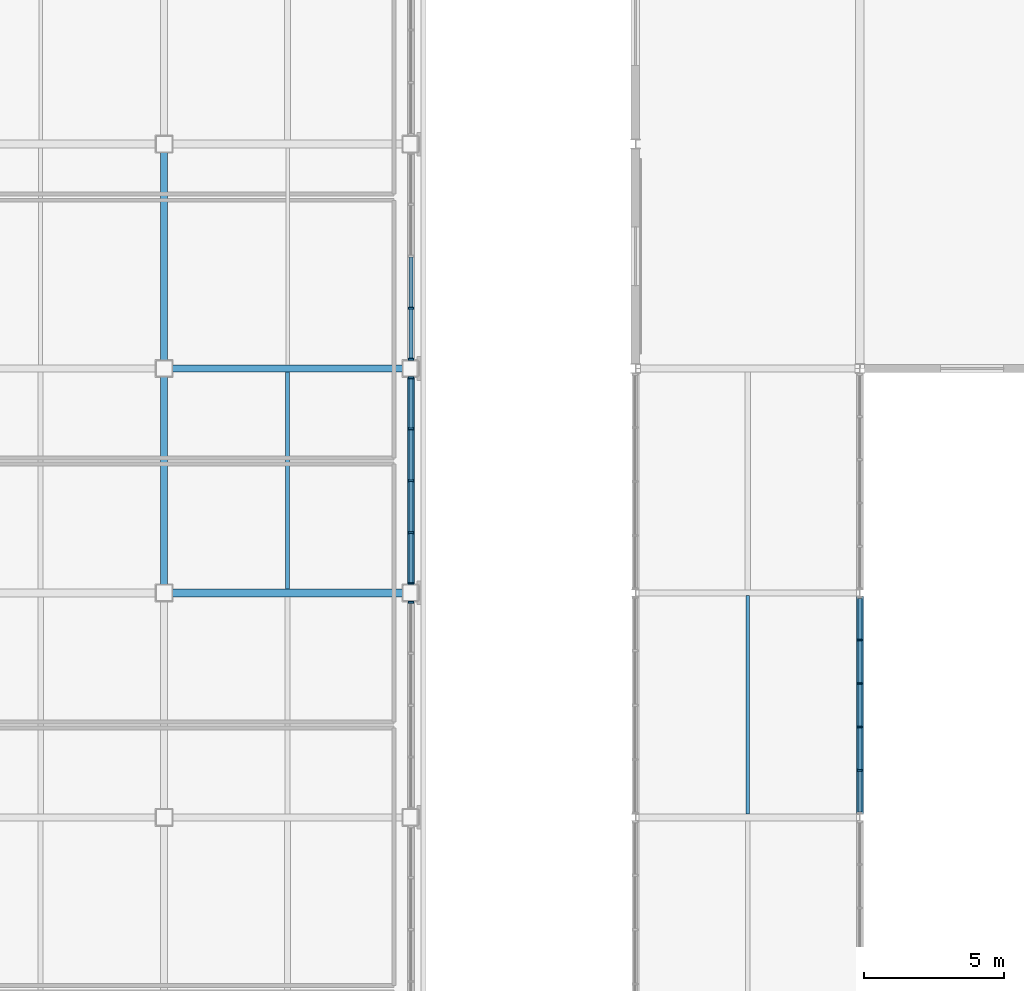
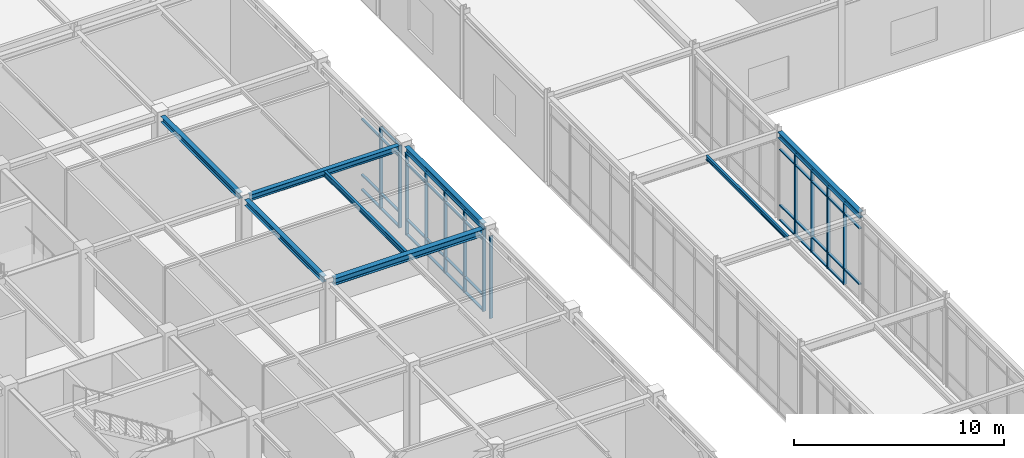
# One storey, part 32 of 108: 54 members, 8 beams, 4 elements without a shape of their own.
"""IFC4 building model written with IfcOpenShell, lengths in metres."""

from ifc_helpers import new_model, si_unit, direction, frame, origin, origin_2d, place, context, subcontext, project, spatial, rectangle, i_section, extrude, material, material_profile, profile_set, type_object, element, aggregate, save


model = new_model("IFC4")

# Units and contexts
model_context = context("Model", 3, precision=1e-05, world=origin(), true_north=direction((0.0, 1.0)))
body_context = subcontext(model_context, "Body", "Model", "MODEL_VIEW")
ifc_project = project(units=[si_unit("LENGTHUNIT", "METRE"), si_unit("AREAUNIT", "SQUARE_METRE"), si_unit("VOLUMEUNIT", "CUBIC_METRE"), si_unit("PLANEANGLEUNIT", "RADIAN"), si_unit("MASSUNIT", "GRAM", prefix="KILO")], contexts=[model_context])

# Site, building, storey
site_placement = place(None, origin())
site = spatial("IfcSite", under=ifc_project, at=site_placement, CompositionType="ELEMENT")
building_placement = place(site_placement, origin())
building = spatial("IfcBuilding", under=site, at=building_placement, Name="Zhaolan Boulevard Law Courts", CompositionType="ELEMENT")
storey_placement = place(building_placement, frame((0.0, 0.0, 10.800048828125)))
storey = spatial("IfcBuildingStorey", under=building, at=storey_placement, Name="L02", CompositionType="ELEMENT", Elevation=10.800048828125)

# Curtain wall, members
ifc_material_1 = material(Name="Thermally broken aluminium and low-E glazing", Category="aluminium")
curtain_wall_type_1 = type_object("IfcCurtainWallType", Name="CURTAIN WALL M2", PredefinedType="USERDEFINED", material=ifc_material_1)
curtain_wall_1_placement = place(storey_placement, origin())
curtain_wall_1 = element("IfcCurtainWall", 1, at=curtain_wall_1_placement, inside=storey, type_object=curtain_wall_type_1, Name="Curtain Wall CW-L02-098", ObjectType="CURTAIN WALL", PredefinedType="USERDEFINED")
ifc_material_2 = material(Name="Fluorocarbon-coated aluminium 6063-T6", Category="aluminium")
ifc_material_profile_1 = material_profile(ifc_material_2, rectangle(XDim=0.179931640625, YDim=0.06494140625, at=origin_2d()), Name="AL65x180")
ifc_profile_set_1 = profile_set([ifc_material_profile_1], Name="Fluorocarbon-coated aluminium 6063-T6")
member_type_1 = type_object("IfcMemberType", Name="CWMULLION 65X180", PredefinedType="MULLION", material=ifc_profile_set_1)
member_1_placement = place(storey_placement, frame((60.0, 47.67626953125, 0.0), z_axis=(0.0, 0.0, 1.0), x_axis=(-1.0, 0.0, 0.0)))
member_1 = element("IfcMember", 2, at=member_1_placement, type_object=member_type_1, Name="CW-L02-098 mullion 2", PredefinedType="MULLION", context=body_context, shape_type="SweptSolid", body=[
    extrude(rectangle(XDim=0.179931640625, YDim=0.06494140625, at=origin_2d()), origin(), (0.0, 0.0, 1.0), 4.782958984375),
])
member_2_placement = place(storey_placement, frame((60.0, 49.225341796875, 0.0), z_axis=(0.0, 0.0, 1.0), x_axis=(-1.0, 0.0, 0.0)))
member_2 = element("IfcMember", 3, at=member_2_placement, type_object=member_type_1, Name="CW-L02-098 mullion 3", PredefinedType="MULLION", context=body_context, shape_type="SweptSolid", body=[
    extrude(rectangle(XDim=0.179931640625, YDim=0.06494140625, at=origin_2d()), origin(), (0.0, 0.0, 1.0), 4.782958984375),
])
member_3_placement = place(storey_placement, frame((60.0, 50.774658203125, 0.0), z_axis=(0.0, 0.0, 1.0), x_axis=(-1.0, 0.0, 0.0)))
member_3 = element("IfcMember", 4, at=member_3_placement, type_object=member_type_1, Name="CW-L02-098 mullion 4", PredefinedType="MULLION", context=body_context, shape_type="SweptSolid", body=[
    extrude(rectangle(XDim=0.179931640625, YDim=0.06494140625, at=origin_2d()), origin(), (0.0, 0.0, 1.0), 4.782958984375),
])
member_4_placement = place(storey_placement, frame((60.0, 52.32373046875, 0.0), z_axis=(0.0, 0.0, 1.0), x_axis=(-1.0, 0.0, 0.0)))
member_4 = element("IfcMember", 5, at=member_4_placement, type_object=member_type_1, Name="CW-L02-098 mullion 5", PredefinedType="MULLION", context=body_context, shape_type="SweptSolid", body=[
    extrude(rectangle(XDim=0.179931640625, YDim=0.06494140625, at=origin_2d()), origin(), (0.0, 0.0, 1.0), 4.782958984375),
])

# Curtain wall, member
ifc_material_3 = material(Name="Thermally broken aluminium and low-E glazing", Category="aluminium")
curtain_wall_type_2 = type_object("IfcCurtainWallType", Name="CURTAIN WALL M20", PredefinedType="USERDEFINED", material=ifc_material_3)
curtain_wall_2_placement = place(storey_placement, origin())
curtain_wall_2 = element("IfcCurtainWall", 6, at=curtain_wall_2_placement, inside=storey, type_object=curtain_wall_type_2, Name="Curtain Wall CW-L02-164", ObjectType="CURTAIN WALL", PredefinedType="USERDEFINED")
member_5_placement = place(storey_placement, frame((44.0, 53.66552734375, 0.0), z_axis=(0.0, 0.0, 1.0), x_axis=(-1.0, 0.0, 0.0)))
member_5 = element("IfcMember", 7, at=member_5_placement, type_object=member_type_1, Name="CW-L02-164 mullion 5", PredefinedType="MULLION", context=body_context, shape_type="SweptSolid", body=[
    extrude(rectangle(XDim=0.179931640625, YDim=0.06494140625, at=origin_2d()), origin(), (0.0, 0.0, 1.0), 4.782958984375),
])
aggregate(curtain_wall_2, [member_5])

# Curtain wall, members
ifc_material_4 = material(Name="Thermally broken aluminium and low-E glazing", Category="aluminium")
curtain_wall_type_3 = type_object("IfcCurtainWallType", Name="CURTAIN WALL M21", PredefinedType="USERDEFINED", material=ifc_material_4)
curtain_wall_3_placement = place(storey_placement, origin())
curtain_wall_3 = element("IfcCurtainWall", 8, at=curtain_wall_3_placement, inside=storey, type_object=curtain_wall_type_3, Name="Curtain Wall CW-L02-165", ObjectType="CURTAIN WALL", PredefinedType="USERDEFINED")
member_6_placement = place(storey_placement, frame((44.0, 54.33447265625, 0.0), z_axis=(0.0, 0.0, 1.0), x_axis=(-1.0, 0.0, 0.0)))
member_6 = element("IfcMember", 9, at=member_6_placement, type_object=member_type_1, Name="CW-L02-165 mullion 1", PredefinedType="MULLION", context=body_context, shape_type="SweptSolid", body=[
    extrude(rectangle(XDim=0.179931640625, YDim=0.06494140625, at=origin_2d()), origin(), (0.0, 0.0, 1.0), 4.782958984375),
])
member_7_placement = place(storey_placement, frame((44.0, 56.15087890625, 0.0), z_axis=(0.0, 0.0, 1.0), x_axis=(-1.0, 0.0, 0.0)))
member_7 = element("IfcMember", 10, at=member_7_placement, type_object=member_type_1, Name="CW-L02-165 mullion 2", PredefinedType="MULLION", context=body_context, shape_type="SweptSolid", body=[
    extrude(rectangle(XDim=0.179931640625, YDim=0.06494140625, at=origin_2d()), origin(), (0.0, 0.0, 1.0), 4.782958984375),
])
member_8_placement = place(storey_placement, frame((44.0, 58.0, 0.0), z_axis=(0.0, 0.0, 1.0), x_axis=(-1.0, 0.0, 0.0)))
member_8 = element("IfcMember", 11, at=member_8_placement, type_object=member_type_1, Name="CW-L02-165 mullion 3", PredefinedType="MULLION", context=body_context, shape_type="SweptSolid", body=[
    extrude(rectangle(XDim=0.179931640625, YDim=0.06494140625, at=origin_2d()), origin(), (0.0, 0.0, 1.0), 4.782958984375),
])
member_9_placement = place(storey_placement, frame((44.0, 59.84912109375, 0.0), z_axis=(0.0, 0.0, 1.0), x_axis=(-1.0, 0.0, 0.0)))
member_9 = element("IfcMember", 12, at=member_9_placement, type_object=member_type_1, Name="CW-L02-165 mullion 4", PredefinedType="MULLION", context=body_context, shape_type="SweptSolid", body=[
    extrude(rectangle(XDim=0.179931640625, YDim=0.06494140625, at=origin_2d()), origin(), (0.0, 0.0, 1.0), 4.782958984375),
])
member_10_placement = place(storey_placement, frame((44.0, 61.66552734375, 0.0), z_axis=(0.0, 0.0, 1.0), x_axis=(-1.0, 0.0, 0.0)))
member_10 = element("IfcMember", 13, at=member_10_placement, type_object=member_type_1, Name="CW-L02-165 mullion 5", PredefinedType="MULLION", context=body_context, shape_type="SweptSolid", body=[
    extrude(rectangle(XDim=0.179931640625, YDim=0.06494140625, at=origin_2d()), origin(), (0.0, 0.0, 1.0), 4.782958984375),
])

ifc_material_5 = material(Name="Thermally broken aluminium and low-E glazing", Category="aluminium")
curtain_wall_type_4 = type_object("IfcCurtainWallType", Name="CURTAIN WALL M22", PredefinedType="USERDEFINED", material=ifc_material_5)
curtain_wall_4_placement = place(storey_placement, origin())
curtain_wall_4 = element("IfcCurtainWall", 14, at=curtain_wall_4_placement, inside=storey, type_object=curtain_wall_type_4, Name="Curtain Wall CW-L02-166", ObjectType="CURTAIN WALL", PredefinedType="USERDEFINED")
member_11_placement = place(storey_placement, frame((44.0, 62.33447265625, 0.0), z_axis=(0.0, 0.0, 1.0), x_axis=(-1.0, 0.0, 0.0)))
member_11 = element("IfcMember", 15, at=member_11_placement, type_object=member_type_1, Name="CW-L02-166 mullion 1", PredefinedType="MULLION", context=body_context, shape_type="SweptSolid", body=[
    extrude(rectangle(XDim=0.179931640625, YDim=0.06494140625, at=origin_2d()), origin(), (0.0, 0.0, 1.0), 4.782958984375),
])
member_12_placement = place(storey_placement, frame((44.0, 64.15087890625, 0.0), z_axis=(0.0, 0.0, 1.0), x_axis=(-1.0, 0.0, 0.0)))
member_12 = element("IfcMember", 16, at=member_12_placement, type_object=member_type_1, Name="CW-L02-166 mullion 2", PredefinedType="MULLION", context=body_context, shape_type="SweptSolid", body=[
    extrude(rectangle(XDim=0.179931640625, YDim=0.06494140625, at=origin_2d()), origin(), (0.0, 0.0, 1.0), 4.782958984375),
])

# Member
ifc_material_6 = material(Name="Fluorocarbon-coated aluminium 6063-T6", Category="aluminium")
ifc_material_profile_2 = material_profile(ifc_material_6, rectangle(XDim=0.139892578125, YDim=0.06494140625, at=origin_2d()), Name="AL65x140")
ifc_profile_set_2 = profile_set([ifc_material_profile_2], Name="Fluorocarbon-coated aluminium 6063-T6")
member_type_2 = type_object("IfcMemberType", Name="CWTRANSOM 65X140", PredefinedType="USERDEFINED", material=ifc_profile_set_2)
member_13_placement = place(storey_placement, frame((60.0, 46.19189453125, 0.89990234375), z_axis=(0.0, 1.0, 0.0), x_axis=(-1.0, 0.0, 0.0)))
member_13 = element("IfcMember", 17, at=member_13_placement, type_object=member_type_2, Name="CW-L02-098 transom 1.2", ObjectType="TRANSOM", PredefinedType="USERDEFINED", context=body_context, shape_type="SweptSolid", body=[
    extrude(rectangle(XDim=0.139892578125, YDim=0.06494140625, at=origin_2d()), origin(), (0.0, 0.0, 1.0), 1.451904296875),
])

member_14_placement = place(storey_placement, frame((60.0, 46.19189453125, 4.133056640625), z_axis=(0.0, 1.0, 0.0), x_axis=(-1.0, 0.0, 0.0)))
member_14 = element("IfcMember", 18, at=member_14_placement, type_object=member_type_2, Name="CW-L02-098 transom 1.3", ObjectType="TRANSOM", PredefinedType="USERDEFINED", context=body_context, shape_type="SweptSolid", body=[
    extrude(rectangle(XDim=0.139892578125, YDim=0.06494140625, at=origin_2d()), origin(), (0.0, 0.0, 1.0), 1.451904296875),
])

member_15_placement = place(storey_placement, frame((60.0, 46.19189453125, 4.75048828125), z_axis=(0.0, 1.0, 0.0), x_axis=(-1.0, 0.0, 0.0)))
member_15 = element("IfcMember", 19, at=member_15_placement, type_object=member_type_2, Name="CW-L02-098 transom 1.4", ObjectType="TRANSOM", PredefinedType="USERDEFINED", context=body_context, shape_type="SweptSolid", body=[
    extrude(rectangle(XDim=0.139892578125, YDim=0.06494140625, at=origin_2d()), origin(), (0.0, 0.0, 1.0), 1.451904296875),
])

member_16_placement = place(storey_placement, frame((60.0, 47.708740234375, 0.032470703125), z_axis=(0.0, 1.0, 0.0), x_axis=(-1.0, 0.0, 0.0)))
member_16 = element("IfcMember", 20, at=member_16_placement, type_object=member_type_2, Name="CW-L02-098 transom 2.1", ObjectType="TRANSOM", PredefinedType="USERDEFINED", context=body_context, shape_type="SweptSolid", body=[
    extrude(rectangle(XDim=0.139892578125, YDim=0.06494140625, at=origin_2d()), origin(), (0.0, 0.0, 1.0), 1.484130859375),
])

member_17_placement = place(storey_placement, frame((60.0, 47.708740234375, 0.89990234375), z_axis=(0.0, 1.0, 0.0), x_axis=(-1.0, 0.0, 0.0)))
member_17 = element("IfcMember", 21, at=member_17_placement, type_object=member_type_2, Name="CW-L02-098 transom 2.2", ObjectType="TRANSOM", PredefinedType="USERDEFINED", context=body_context, shape_type="SweptSolid", body=[
    extrude(rectangle(XDim=0.139892578125, YDim=0.06494140625, at=origin_2d()), origin(), (0.0, 0.0, 1.0), 1.484130859375),
])

member_18_placement = place(storey_placement, frame((60.0, 47.708740234375, 4.133056640625), z_axis=(0.0, 1.0, 0.0), x_axis=(-1.0, 0.0, 0.0)))
member_18 = element("IfcMember", 22, at=member_18_placement, type_object=member_type_2, Name="CW-L02-098 transom 2.3", ObjectType="TRANSOM", PredefinedType="USERDEFINED", context=body_context, shape_type="SweptSolid", body=[
    extrude(rectangle(XDim=0.139892578125, YDim=0.06494140625, at=origin_2d()), origin(), (0.0, 0.0, 1.0), 1.484130859375),
])

member_19_placement = place(storey_placement, frame((60.0, 47.708740234375, 4.75048828125), z_axis=(0.0, 1.0, 0.0), x_axis=(-1.0, 0.0, 0.0)))
member_19 = element("IfcMember", 23, at=member_19_placement, type_object=member_type_2, Name="CW-L02-098 transom 2.4", ObjectType="TRANSOM", PredefinedType="USERDEFINED", context=body_context, shape_type="SweptSolid", body=[
    extrude(rectangle(XDim=0.139892578125, YDim=0.06494140625, at=origin_2d()), origin(), (0.0, 0.0, 1.0), 1.484130859375),
])

member_20_placement = place(storey_placement, frame((60.0, 49.2578125, 0.032470703125), z_axis=(0.0, 1.0, 0.0), x_axis=(-1.0, 0.0, 0.0)))
member_20 = element("IfcMember", 24, at=member_20_placement, type_object=member_type_2, Name="CW-L02-098 transom 3.1", ObjectType="TRANSOM", PredefinedType="USERDEFINED", context=body_context, shape_type="SweptSolid", body=[
    extrude(rectangle(XDim=0.139892578125, YDim=0.06494140625, at=origin_2d()), origin(), (0.0, 0.0, 1.0), 1.484375),
])

member_21_placement = place(storey_placement, frame((60.0, 49.2578125, 0.89990234375), z_axis=(0.0, 1.0, 0.0), x_axis=(-1.0, 0.0, 0.0)))
member_21 = element("IfcMember", 25, at=member_21_placement, type_object=member_type_2, Name="CW-L02-098 transom 3.2", ObjectType="TRANSOM", PredefinedType="USERDEFINED", context=body_context, shape_type="SweptSolid", body=[
    extrude(rectangle(XDim=0.139892578125, YDim=0.06494140625, at=origin_2d()), origin(), (0.0, 0.0, 1.0), 1.484375),
])

member_22_placement = place(storey_placement, frame((60.0, 49.2578125, 4.133056640625), z_axis=(0.0, 1.0, 0.0), x_axis=(-1.0, 0.0, 0.0)))
member_22 = element("IfcMember", 26, at=member_22_placement, type_object=member_type_2, Name="CW-L02-098 transom 3.3", ObjectType="TRANSOM", PredefinedType="USERDEFINED", context=body_context, shape_type="SweptSolid", body=[
    extrude(rectangle(XDim=0.139892578125, YDim=0.06494140625, at=origin_2d()), origin(), (0.0, 0.0, 1.0), 1.484375),
])

member_23_placement = place(storey_placement, frame((60.0, 49.2578125, 4.75048828125), z_axis=(0.0, 1.0, 0.0), x_axis=(-1.0, 0.0, 0.0)))
member_23 = element("IfcMember", 27, at=member_23_placement, type_object=member_type_2, Name="CW-L02-098 transom 3.4", ObjectType="TRANSOM", PredefinedType="USERDEFINED", context=body_context, shape_type="SweptSolid", body=[
    extrude(rectangle(XDim=0.139892578125, YDim=0.06494140625, at=origin_2d()), origin(), (0.0, 0.0, 1.0), 1.484375),
])

member_24_placement = place(storey_placement, frame((60.0, 50.80712890625, 0.032470703125), z_axis=(0.0, 1.0, 0.0), x_axis=(-1.0, 0.0, 0.0)))
member_24 = element("IfcMember", 28, at=member_24_placement, type_object=member_type_2, Name="CW-L02-098 transom 4.1", ObjectType="TRANSOM", PredefinedType="USERDEFINED", context=body_context, shape_type="SweptSolid", body=[
    extrude(rectangle(XDim=0.139892578125, YDim=0.06494140625, at=origin_2d()), origin(), (0.0, 0.0, 1.0), 1.484130859375),
])

member_25_placement = place(storey_placement, frame((60.0, 50.80712890625, 0.89990234375), z_axis=(0.0, 1.0, 0.0), x_axis=(-1.0, 0.0, 0.0)))
member_25 = element("IfcMember", 29, at=member_25_placement, type_object=member_type_2, Name="CW-L02-098 transom 4.2", ObjectType="TRANSOM", PredefinedType="USERDEFINED", context=body_context, shape_type="SweptSolid", body=[
    extrude(rectangle(XDim=0.139892578125, YDim=0.06494140625, at=origin_2d()), origin(), (0.0, 0.0, 1.0), 1.484130859375),
])

member_26_placement = place(storey_placement, frame((60.0, 50.80712890625, 4.133056640625), z_axis=(0.0, 1.0, 0.0), x_axis=(-1.0, 0.0, 0.0)))
member_26 = element("IfcMember", 30, at=member_26_placement, type_object=member_type_2, Name="CW-L02-098 transom 4.3", ObjectType="TRANSOM", PredefinedType="USERDEFINED", context=body_context, shape_type="SweptSolid", body=[
    extrude(rectangle(XDim=0.139892578125, YDim=0.06494140625, at=origin_2d()), origin(), (0.0, 0.0, 1.0), 1.484130859375),
])

member_27_placement = place(storey_placement, frame((60.0, 50.80712890625, 4.75048828125), z_axis=(0.0, 1.0, 0.0), x_axis=(-1.0, 0.0, 0.0)))
member_27 = element("IfcMember", 31, at=member_27_placement, type_object=member_type_2, Name="CW-L02-098 transom 4.4", ObjectType="TRANSOM", PredefinedType="USERDEFINED", context=body_context, shape_type="SweptSolid", body=[
    extrude(rectangle(XDim=0.139892578125, YDim=0.06494140625, at=origin_2d()), origin(), (0.0, 0.0, 1.0), 1.484130859375),
])

member_28_placement = place(storey_placement, frame((60.0, 52.356201171875, 0.032470703125), z_axis=(0.0, 1.0, 0.0), x_axis=(-1.0, 0.0, 0.0)))
member_28 = element("IfcMember", 32, at=member_28_placement, type_object=member_type_2, Name="CW-L02-098 transom 5.1", ObjectType="TRANSOM", PredefinedType="USERDEFINED", context=body_context, shape_type="SweptSolid", body=[
    extrude(rectangle(XDim=0.139892578125, YDim=0.06494140625, at=origin_2d()), origin(), (0.0, 0.0, 1.0), 1.451904296875),
])

member_29_placement = place(storey_placement, frame((60.0, 52.356201171875, 0.89990234375), z_axis=(0.0, 1.0, 0.0), x_axis=(-1.0, 0.0, 0.0)))
member_29 = element("IfcMember", 33, at=member_29_placement, type_object=member_type_2, Name="CW-L02-098 transom 5.2", ObjectType="TRANSOM", PredefinedType="USERDEFINED", context=body_context, shape_type="SweptSolid", body=[
    extrude(rectangle(XDim=0.139892578125, YDim=0.06494140625, at=origin_2d()), origin(), (0.0, 0.0, 1.0), 1.451904296875),
])

member_30_placement = place(storey_placement, frame((60.0, 52.356201171875, 4.133056640625), z_axis=(0.0, 1.0, 0.0), x_axis=(-1.0, 0.0, 0.0)))
member_30 = element("IfcMember", 34, at=member_30_placement, type_object=member_type_2, Name="CW-L02-098 transom 5.3", ObjectType="TRANSOM", PredefinedType="USERDEFINED", context=body_context, shape_type="SweptSolid", body=[
    extrude(rectangle(XDim=0.139892578125, YDim=0.06494140625, at=origin_2d()), origin(), (0.0, 0.0, 1.0), 1.451904296875),
])

member_31_placement = place(storey_placement, frame((60.0, 52.356201171875, 4.75048828125), z_axis=(0.0, 1.0, 0.0), x_axis=(-1.0, 0.0, 0.0)))
member_31 = element("IfcMember", 35, at=member_31_placement, type_object=member_type_2, Name="CW-L02-098 transom 5.4", ObjectType="TRANSOM", PredefinedType="USERDEFINED", context=body_context, shape_type="SweptSolid", body=[
    extrude(rectangle(XDim=0.139892578125, YDim=0.06494140625, at=origin_2d()), origin(), (0.0, 0.0, 1.0), 1.451904296875),
])

aggregate(curtain_wall_1, [member_1, member_2, member_3, member_4, member_13, member_14, member_15, member_16, member_17, member_18, member_19, member_20, member_21, member_22, member_23, member_24, member_25, member_26, member_27, member_28, member_29, member_30, member_31])

member_32_placement = place(storey_placement, frame((44.0, 54.366943359375, 0.032470703125), z_axis=(0.0, 1.0, 0.0), x_axis=(-1.0, 0.0, 0.0)))
member_32 = element("IfcMember", 36, at=member_32_placement, type_object=member_type_2, Name="CW-L02-165 transom 1.1", ObjectType="TRANSOM", PredefinedType="USERDEFINED", context=body_context, shape_type="SweptSolid", body=[
    extrude(rectangle(XDim=0.139892578125, YDim=0.06494140625, at=origin_2d()), origin(), (0.0, 0.0, 1.0), 1.75146484375),
])

member_33_placement = place(storey_placement, frame((44.0, 54.366943359375, 0.89990234375), z_axis=(0.0, 1.0, 0.0), x_axis=(-1.0, 0.0, 0.0)))
member_33 = element("IfcMember", 37, at=member_33_placement, type_object=member_type_2, Name="CW-L02-165 transom 1.2", ObjectType="TRANSOM", PredefinedType="USERDEFINED", context=body_context, shape_type="SweptSolid", body=[
    extrude(rectangle(XDim=0.139892578125, YDim=0.06494140625, at=origin_2d()), origin(), (0.0, 0.0, 1.0), 1.75146484375),
])

member_34_placement = place(storey_placement, frame((44.0, 54.366943359375, 4.133056640625), z_axis=(0.0, 1.0, 0.0), x_axis=(-1.0, 0.0, 0.0)))
member_34 = element("IfcMember", 38, at=member_34_placement, type_object=member_type_2, Name="CW-L02-165 transom 1.3", ObjectType="TRANSOM", PredefinedType="USERDEFINED", context=body_context, shape_type="SweptSolid", body=[
    extrude(rectangle(XDim=0.139892578125, YDim=0.06494140625, at=origin_2d()), origin(), (0.0, 0.0, 1.0), 1.75146484375),
])

member_35_placement = place(storey_placement, frame((44.0, 54.366943359375, 4.75048828125), z_axis=(0.0, 1.0, 0.0), x_axis=(-1.0, 0.0, 0.0)))
member_35 = element("IfcMember", 39, at=member_35_placement, type_object=member_type_2, Name="CW-L02-165 transom 1.4", ObjectType="TRANSOM", PredefinedType="USERDEFINED", context=body_context, shape_type="SweptSolid", body=[
    extrude(rectangle(XDim=0.139892578125, YDim=0.06494140625, at=origin_2d()), origin(), (0.0, 0.0, 1.0), 1.75146484375),
])

member_36_placement = place(storey_placement, frame((44.0, 56.18359375, 0.032470703125), z_axis=(0.0, 1.0, 0.0), x_axis=(-1.0, 0.0, 0.0)))
member_36 = element("IfcMember", 40, at=member_36_placement, type_object=member_type_2, Name="CW-L02-165 transom 2.1", ObjectType="TRANSOM", PredefinedType="USERDEFINED", context=body_context, shape_type="SweptSolid", body=[
    extrude(rectangle(XDim=0.139892578125, YDim=0.06494140625, at=origin_2d()), origin(), (0.0, 0.0, 1.0), 1.783935546875),
])

member_37_placement = place(storey_placement, frame((44.0, 56.18359375, 0.89990234375), z_axis=(0.0, 1.0, 0.0), x_axis=(-1.0, 0.0, 0.0)))
member_37 = element("IfcMember", 41, at=member_37_placement, type_object=member_type_2, Name="CW-L02-165 transom 2.2", ObjectType="TRANSOM", PredefinedType="USERDEFINED", context=body_context, shape_type="SweptSolid", body=[
    extrude(rectangle(XDim=0.139892578125, YDim=0.06494140625, at=origin_2d()), origin(), (0.0, 0.0, 1.0), 1.783935546875),
])

member_38_placement = place(storey_placement, frame((44.0, 56.18359375, 4.133056640625), z_axis=(0.0, 1.0, 0.0), x_axis=(-1.0, 0.0, 0.0)))
member_38 = element("IfcMember", 42, at=member_38_placement, type_object=member_type_2, Name="CW-L02-165 transom 2.3", ObjectType="TRANSOM", PredefinedType="USERDEFINED", context=body_context, shape_type="SweptSolid", body=[
    extrude(rectangle(XDim=0.139892578125, YDim=0.06494140625, at=origin_2d()), origin(), (0.0, 0.0, 1.0), 1.783935546875),
])

member_39_placement = place(storey_placement, frame((44.0, 56.18359375, 4.75048828125), z_axis=(0.0, 1.0, 0.0), x_axis=(-1.0, 0.0, 0.0)))
member_39 = element("IfcMember", 43, at=member_39_placement, type_object=member_type_2, Name="CW-L02-165 transom 2.4", ObjectType="TRANSOM", PredefinedType="USERDEFINED", context=body_context, shape_type="SweptSolid", body=[
    extrude(rectangle(XDim=0.139892578125, YDim=0.06494140625, at=origin_2d()), origin(), (0.0, 0.0, 1.0), 1.783935546875),
])

member_40_placement = place(storey_placement, frame((44.0, 58.032470703125, 0.032470703125), z_axis=(0.0, 1.0, 0.0), x_axis=(-1.0, 0.0, 0.0)))
member_40 = element("IfcMember", 44, at=member_40_placement, type_object=member_type_2, Name="CW-L02-165 transom 3.1", ObjectType="TRANSOM", PredefinedType="USERDEFINED", context=body_context, shape_type="SweptSolid", body=[
    extrude(rectangle(XDim=0.139892578125, YDim=0.06494140625, at=origin_2d()), origin(), (0.0, 0.0, 1.0), 1.783935546875),
])

member_41_placement = place(storey_placement, frame((44.0, 58.032470703125, 0.89990234375), z_axis=(0.0, 1.0, 0.0), x_axis=(-1.0, 0.0, 0.0)))
member_41 = element("IfcMember", 45, at=member_41_placement, type_object=member_type_2, Name="CW-L02-165 transom 3.2", ObjectType="TRANSOM", PredefinedType="USERDEFINED", context=body_context, shape_type="SweptSolid", body=[
    extrude(rectangle(XDim=0.139892578125, YDim=0.06494140625, at=origin_2d()), origin(), (0.0, 0.0, 1.0), 1.783935546875),
])

member_42_placement = place(storey_placement, frame((44.0, 58.032470703125, 4.133056640625), z_axis=(0.0, 1.0, 0.0), x_axis=(-1.0, 0.0, 0.0)))
member_42 = element("IfcMember", 46, at=member_42_placement, type_object=member_type_2, Name="CW-L02-165 transom 3.3", ObjectType="TRANSOM", PredefinedType="USERDEFINED", context=body_context, shape_type="SweptSolid", body=[
    extrude(rectangle(XDim=0.139892578125, YDim=0.06494140625, at=origin_2d()), origin(), (0.0, 0.0, 1.0), 1.783935546875),
])

member_43_placement = place(storey_placement, frame((44.0, 58.032470703125, 4.75048828125), z_axis=(0.0, 1.0, 0.0), x_axis=(-1.0, 0.0, 0.0)))
member_43 = element("IfcMember", 47, at=member_43_placement, type_object=member_type_2, Name="CW-L02-165 transom 3.4", ObjectType="TRANSOM", PredefinedType="USERDEFINED", context=body_context, shape_type="SweptSolid", body=[
    extrude(rectangle(XDim=0.139892578125, YDim=0.06494140625, at=origin_2d()), origin(), (0.0, 0.0, 1.0), 1.783935546875),
])

member_44_placement = place(storey_placement, frame((44.0, 59.881591796875, 0.032470703125), z_axis=(0.0, 1.0, 0.0), x_axis=(-1.0, 0.0, 0.0)))
member_44 = element("IfcMember", 48, at=member_44_placement, type_object=member_type_2, Name="CW-L02-165 transom 4.1", ObjectType="TRANSOM", PredefinedType="USERDEFINED", context=body_context, shape_type="SweptSolid", body=[
    extrude(rectangle(XDim=0.139892578125, YDim=0.06494140625, at=origin_2d()), origin(), (0.0, 0.0, 1.0), 1.75146484375),
])

member_45_placement = place(storey_placement, frame((44.0, 59.881591796875, 0.89990234375), z_axis=(0.0, 1.0, 0.0), x_axis=(-1.0, 0.0, 0.0)))
member_45 = element("IfcMember", 49, at=member_45_placement, type_object=member_type_2, Name="CW-L02-165 transom 4.2", ObjectType="TRANSOM", PredefinedType="USERDEFINED", context=body_context, shape_type="SweptSolid", body=[
    extrude(rectangle(XDim=0.139892578125, YDim=0.06494140625, at=origin_2d()), origin(), (0.0, 0.0, 1.0), 1.75146484375),
])

member_46_placement = place(storey_placement, frame((44.0, 59.881591796875, 4.133056640625), z_axis=(0.0, 1.0, 0.0), x_axis=(-1.0, 0.0, 0.0)))
member_46 = element("IfcMember", 50, at=member_46_placement, type_object=member_type_2, Name="CW-L02-165 transom 4.3", ObjectType="TRANSOM", PredefinedType="USERDEFINED", context=body_context, shape_type="SweptSolid", body=[
    extrude(rectangle(XDim=0.139892578125, YDim=0.06494140625, at=origin_2d()), origin(), (0.0, 0.0, 1.0), 1.75146484375),
])

member_47_placement = place(storey_placement, frame((44.0, 59.881591796875, 4.75048828125), z_axis=(0.0, 1.0, 0.0), x_axis=(-1.0, 0.0, 0.0)))
member_47 = element("IfcMember", 51, at=member_47_placement, type_object=member_type_2, Name="CW-L02-165 transom 4.4", ObjectType="TRANSOM", PredefinedType="USERDEFINED", context=body_context, shape_type="SweptSolid", body=[
    extrude(rectangle(XDim=0.139892578125, YDim=0.06494140625, at=origin_2d()), origin(), (0.0, 0.0, 1.0), 1.75146484375),
])

aggregate(curtain_wall_3, [member_6, member_7, member_8, member_9, member_10, member_32, member_33, member_34, member_35, member_36, member_37, member_38, member_39, member_40, member_41, member_42, member_43, member_44, member_45, member_46, member_47])

member_48_placement = place(storey_placement, frame((44.0, 62.366943359375, 0.032470703125), z_axis=(0.0, 1.0, 0.0), x_axis=(-1.0, 0.0, 0.0)))
member_48 = element("IfcMember", 52, at=member_48_placement, type_object=member_type_2, Name="CW-L02-166 transom 1.1", ObjectType="TRANSOM", PredefinedType="USERDEFINED", context=body_context, shape_type="SweptSolid", body=[
    extrude(rectangle(XDim=0.139892578125, YDim=0.06494140625, at=origin_2d()), origin(), (0.0, 0.0, 1.0), 1.75146484375),
])

member_49_placement = place(storey_placement, frame((44.0, 62.366943359375, 0.89990234375), z_axis=(0.0, 1.0, 0.0), x_axis=(-1.0, 0.0, 0.0)))
member_49 = element("IfcMember", 53, at=member_49_placement, type_object=member_type_2, Name="CW-L02-166 transom 1.2", ObjectType="TRANSOM", PredefinedType="USERDEFINED", context=body_context, shape_type="SweptSolid", body=[
    extrude(rectangle(XDim=0.139892578125, YDim=0.06494140625, at=origin_2d()), origin(), (0.0, 0.0, 1.0), 1.75146484375),
])

member_50_placement = place(storey_placement, frame((44.0, 62.366943359375, 4.133056640625), z_axis=(0.0, 1.0, 0.0), x_axis=(-1.0, 0.0, 0.0)))
member_50 = element("IfcMember", 54, at=member_50_placement, type_object=member_type_2, Name="CW-L02-166 transom 1.3", ObjectType="TRANSOM", PredefinedType="USERDEFINED", context=body_context, shape_type="SweptSolid", body=[
    extrude(rectangle(XDim=0.139892578125, YDim=0.06494140625, at=origin_2d()), origin(), (0.0, 0.0, 1.0), 1.75146484375),
])

member_51_placement = place(storey_placement, frame((44.0, 62.366943359375, 4.75048828125), z_axis=(0.0, 1.0, 0.0), x_axis=(-1.0, 0.0, 0.0)))
member_51 = element("IfcMember", 55, at=member_51_placement, type_object=member_type_2, Name="CW-L02-166 transom 1.4", ObjectType="TRANSOM", PredefinedType="USERDEFINED", context=body_context, shape_type="SweptSolid", body=[
    extrude(rectangle(XDim=0.139892578125, YDim=0.06494140625, at=origin_2d()), origin(), (0.0, 0.0, 1.0), 1.75146484375),
])

member_52_placement = place(storey_placement, frame((44.0, 64.18359375, 0.032470703125), z_axis=(0.0, 1.0, 0.0), x_axis=(-1.0, 0.0, 0.0)))
member_52 = element("IfcMember", 56, at=member_52_placement, type_object=member_type_2, Name="CW-L02-166 transom 2.1", ObjectType="TRANSOM", PredefinedType="USERDEFINED", context=body_context, shape_type="SweptSolid", body=[
    extrude(rectangle(XDim=0.139892578125, YDim=0.06494140625, at=origin_2d()), origin(), (0.0, 0.0, 1.0), 1.783935546875),
])

member_53_placement = place(storey_placement, frame((44.0, 64.18359375, 0.89990234375), z_axis=(0.0, 1.0, 0.0), x_axis=(-1.0, 0.0, 0.0)))
member_53 = element("IfcMember", 57, at=member_53_placement, type_object=member_type_2, Name="CW-L02-166 transom 2.2", ObjectType="TRANSOM", PredefinedType="USERDEFINED", context=body_context, shape_type="SweptSolid", body=[
    extrude(rectangle(XDim=0.139892578125, YDim=0.06494140625, at=origin_2d()), origin(), (0.0, 0.0, 1.0), 1.783935546875),
])

member_54_placement = place(storey_placement, frame((44.0, 64.18359375, 4.133056640625), z_axis=(0.0, 1.0, 0.0), x_axis=(-1.0, 0.0, 0.0)))
member_54 = element("IfcMember", 58, at=member_54_placement, type_object=member_type_2, Name="CW-L02-166 transom 2.3", ObjectType="TRANSOM", PredefinedType="USERDEFINED", context=body_context, shape_type="SweptSolid", body=[
    extrude(rectangle(XDim=0.139892578125, YDim=0.06494140625, at=origin_2d()), origin(), (0.0, 0.0, 1.0), 1.783935546875),
])

aggregate(curtain_wall_4, [member_11, member_12, member_48, member_49, member_50, member_51, member_52, member_53, member_54])

# Beams
ifc_material_7 = material(Name="Structural steel Q355B", Category="steel")
ifc_material_profile_3 = material_profile(ifc_material_7, i_section(OverallWidth=0.25, OverallDepth=0.340087890625, WebThickness=0.009033203125, FlangeThickness=0.013916015625, FilletRadius=0.01611328125, at=origin_2d()), Name="HM340x250")
ifc_profile_set_3 = profile_set([ifc_material_profile_3], Name="Structural steel Q355B")
beam_type_1 = type_object("IfcBeamType", Name="GIRDER HM340", PredefinedType="BEAM", material=ifc_profile_set_3)
for number, where, z_axis, x_axis, name in (
    (59, (35.199951171875, 54.2958984375, 4.968017578125), (0.0, 1.0, 0.0), (-1.0, 0.0, 0.0), "Beam BY-L03-5-H-J"),
    (60, (35.199951171875, 62.2958984375, 4.968017578125), (0.0, 1.0, 0.0), (-1.0, 0.0, 0.0), "Beam BY-L03-5-J-K"),
    (61, (44.0, 54.2958984375, 4.968017578125), (0.0, 1.0, 0.0), (-1.0, 0.0, 0.0), "Beam BY-L03-6-H-J"),
):
    element("IfcBeam", number, at=place(storey_placement, frame(where, z_axis=z_axis, x_axis=x_axis)), inside=storey, type_object=beam_type_1, Name=name, PredefinedType="BEAM", context=body_context, shape_type="SweptSolid", body=[
        extrude(i_section(OverallWidth=0.25, OverallDepth=0.340087890625, WebThickness=0.009033203125, FlangeThickness=0.013916015625, FilletRadius=0.01611328125, at=origin_2d()), origin(), (0.0, 0.0, 1.0), 7.408203125),
    ])
beam_1_placement = place(storey_placement, frame((60.0, 46.12109375, 4.968017578125), z_axis=(0.0, 1.0, 0.0), x_axis=(-1.0, 0.0, 0.0)))
element("IfcBeam", 62, at=beam_1_placement, inside=storey, type_object=beam_type_1, Name="Beam BY-L03-8-G-H", PredefinedType="BEAM", context=body_context, shape_type="SweptSolid", body=[
    extrude(i_section(OverallWidth=0.25, OverallDepth=0.340087890625, WebThickness=0.009033203125, FlangeThickness=0.013916015625, FilletRadius=0.01611328125, at=origin_2d()), origin(), (0.0, 0.0, 1.0), 7.7578125),
])
ifc_material_8 = material(Name="Structural steel Q355B", Category="steel")
ifc_material_profile_4 = material_profile(ifc_material_8, i_section(OverallWidth=0.300048828125, OverallDepth=0.389892578125, WebThickness=0.010009765625, FlangeThickness=0.01611328125, FilletRadius=0.01806640625, at=origin_2d()), Name="HM390x300")
ifc_profile_set_4 = profile_set([ifc_material_profile_4], Name="Structural steel Q355B")
beam_type_2 = type_object("IfcBeamType", Name="GIRDER HM390", PredefinedType="BEAM", material=ifc_profile_set_4)
beam_2_placement = place(storey_placement, frame((35.49609375, 54.0, 4.94287109375), z_axis=(1.0, 0.0, 0.0), x_axis=(0.0, 1.0, 0.0)))
element("IfcBeam", 63, at=beam_2_placement, inside=storey, type_object=beam_type_2, Name="Beam BX-L03-5-6-H", PredefinedType="BEAM", context=body_context, shape_type="SweptSolid", body=[
    extrude(i_section(OverallWidth=0.300048828125, OverallDepth=0.389892578125, WebThickness=0.010009765625, FlangeThickness=0.01611328125, FilletRadius=0.01806640625, at=origin_2d()), origin(), (0.0, 0.0, 1.0), 8.2080078125),
])
ifc_material_9 = material(Name="Structural steel Q355B", Category="steel")
ifc_material_profile_5 = material_profile(ifc_material_9, i_section(OverallWidth=0.125, OverallDepth=0.25, WebThickness=0.006103515625, FlangeThickness=0.009033203125, FilletRadius=0.010009765625, at=origin_2d()), Name="HN250x125")
ifc_profile_set_5 = profile_set([ifc_material_profile_5], Name="Structural steel Q355B")
beam_type_3 = type_object("IfcBeamType", Name="JOIST HN250", PredefinedType="JOIST", material=ifc_profile_set_5)
beam_3_placement = place(storey_placement, frame((56.0, 46.12109375, 5.012939453125), z_axis=(0.0, 1.0, 0.0), x_axis=(-1.0, 0.0, 0.0)))
element("IfcBeam", 64, at=beam_3_placement, inside=storey, type_object=beam_type_3, Name="Composite Joist J-L03-7G", PredefinedType="JOIST", context=body_context, shape_type="SweptSolid", body=[
    extrude(i_section(OverallWidth=0.125, OverallDepth=0.25, WebThickness=0.006103515625, FlangeThickness=0.009033203125, FilletRadius=0.010009765625, at=origin_2d()), origin(), (0.0, 0.0, 1.0), 7.782958984375),
])
ifc_material_10 = material(Name="Structural steel Q355B", Category="steel")
ifc_material_profile_6 = material_profile(ifc_material_10, i_section(OverallWidth=0.14990234375, OverallDepth=0.300048828125, WebThickness=0.006591796875, FlangeThickness=0.009033203125, FilletRadius=0.010986328125, at=origin_2d()), Name="HN300x150")
ifc_profile_set_6 = profile_set([ifc_material_profile_6], Name="Structural steel Q355B")
beam_type_4 = type_object("IfcBeamType", Name="JOIST HN300", PredefinedType="JOIST", material=ifc_profile_set_6)
beam_4_placement = place(storey_placement, frame((39.60009765625, 54.14599609375, 4.988037109375), z_axis=(0.0, 1.0, 0.0), x_axis=(-1.0, 0.0, 0.0)))
element("IfcBeam", 65, at=beam_4_placement, inside=storey, type_object=beam_type_4, Name="Composite Joist J-L03-5H", PredefinedType="JOIST", context=body_context, shape_type="SweptSolid", body=[
    extrude(i_section(OverallWidth=0.14990234375, OverallDepth=0.300048828125, WebThickness=0.006591796875, FlangeThickness=0.009033203125, FilletRadius=0.010986328125, at=origin_2d()), origin(), (0.0, 0.0, 1.0), 7.73291015625),
])
ifc_material_11 = material(Name="Structural steel Q355B", Category="steel")
ifc_material_profile_7 = material_profile(ifc_material_11, i_section(OverallWidth=0.25, OverallDepth=0.340087890625, WebThickness=0.009033203125, FlangeThickness=0.013916015625, FilletRadius=0.01611328125, at=origin_2d()), Name="HM340x250")
ifc_profile_set_7 = profile_set([ifc_material_profile_7], Name="Structural steel Q355B")
beam_type_5 = type_object("IfcBeamType", Name="SPANDREL HM340", PredefinedType="SPANDREL", material=ifc_profile_set_7)
beam_5_placement = place(storey_placement, frame((35.49609375, 62.0, 4.968017578125), z_axis=(1.0, 0.0, 0.0), x_axis=(0.0, 1.0, 0.0)))
element("IfcBeam", 66, at=beam_5_placement, inside=storey, type_object=beam_type_5, Name="Beam BX-L03-5-6-J", PredefinedType="SPANDREL", context=body_context, shape_type="SweptSolid", body=[
    extrude(i_section(OverallWidth=0.25, OverallDepth=0.340087890625, WebThickness=0.009033203125, FlangeThickness=0.013916015625, FilletRadius=0.01611328125, at=origin_2d()), origin(), (0.0, 0.0, 1.0), 8.2080078125),
])

save(model, "model.ifc")
